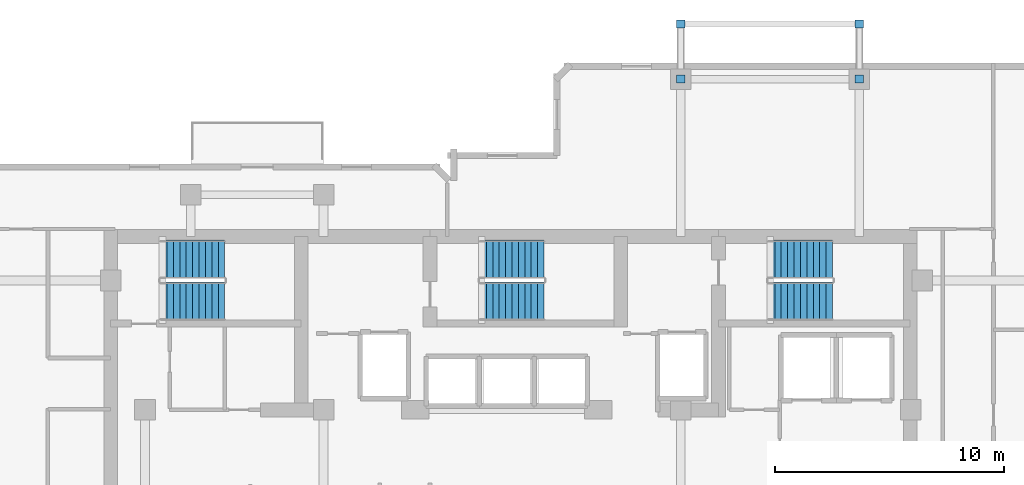
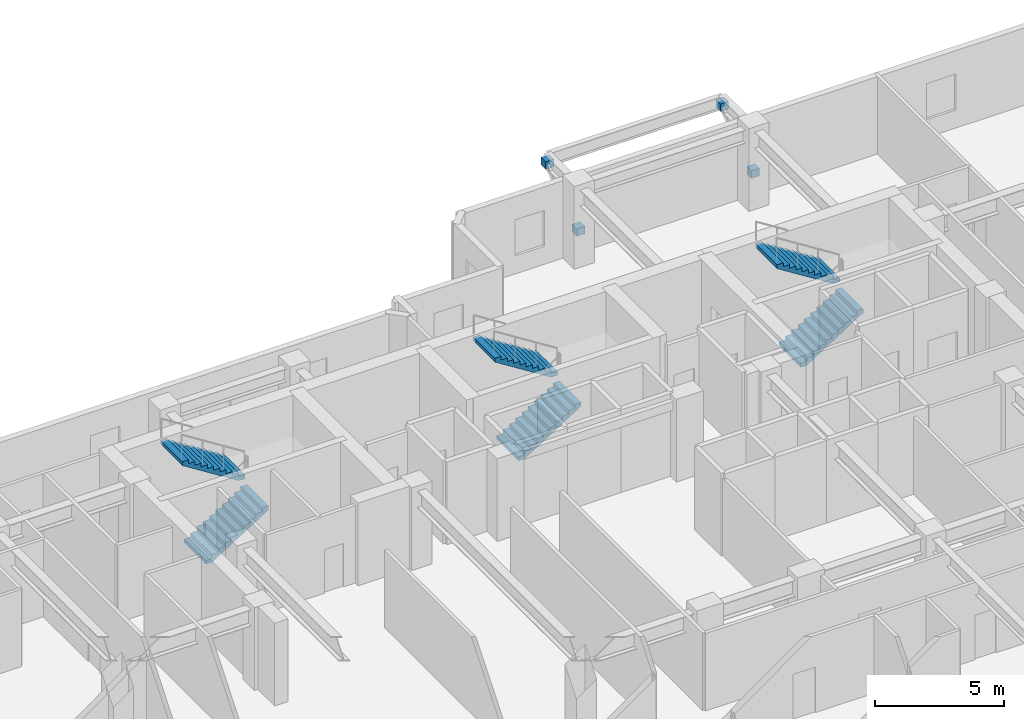
# One storey, part 9 of 10: 6 stair flights, 4 discrete accessories, 3 elements without a shape of their own.
"""IFC4 building model written with IfcOpenShell, lengths in metres."""

import ifcopenshell
import ifcopenshell.guid

model = None  # the IFC model being written
_history = None  # IfcOwnerHistory: only IFC2X3 demands one
_inside = {}  # id of a spatial element -> (the spatial element, [elements in it])
_under = {}  # id of a project, library or spatial element -> (it, [spatial elements below it])
_declared = {}  # id of a project -> (the project, [libraries it declares])
_typed = {}  # id of a type object -> (the type object, [elements of that type])
_made_of = {}  # id of a material, layer set ... -> (it, [elements and type objects made of it])


def new_model(schema):
    """Start an empty IFC model of exactly this schema.

    Asked for "IFC4X3", IfcOpenShell would pick the latest addendum, in which some entities
    have other attributes; the version numbers below select the first issue.
    IFC2X3 requires an IfcOwnerHistory on every rooted entity: one is made here for all.
    """
    global model, _history
    if schema == "IFC4X3":
        model = ifcopenshell.file(schema_version=(4, 3, 0, 0))
    else:
        model = ifcopenshell.file(schema=schema)
    _inside.clear()
    _under.clear()
    _declared.clear()
    _typed.clear()
    _made_of.clear()
    _history = None
    if model.schema == "IFC2X3":
        org = make("IfcOrganization", Name="unknown")
        user = make(
            "IfcPersonAndOrganization",
            ThePerson=make("IfcPerson", FamilyName="unknown"),
            TheOrganization=org,
        )
        app = make(
            "IfcApplication",
            ApplicationDeveloper=org,
            Version="unknown",
            ApplicationFullName="unknown",
            ApplicationIdentifier="unknown",
        )
        _history = make(
            "IfcOwnerHistory",
            OwningUser=user,
            OwningApplication=app,
            ChangeAction="ADDED",
            CreationDate=0,
        )
    return model


def make(cls, **values):
    """One entity of the class cls with the attributes given. An attribute that is None is left unset."""
    return model.create_entity(
        cls, **{name: value for name, value in values.items() if value is not None}
    )


def rooted(cls, **values):
    """An entity with a GlobalId (a new one), such as an element, a storey or a relation."""
    return make(cls, GlobalId=ifcopenshell.guid.new(), OwnerHistory=_history, **values)


def si_unit(unit_type, name, prefix=None):
    """IfcSIUnit, for example si_unit("LENGTHUNIT", "METRE", prefix="MILLI")."""
    return make("IfcSIUnit", UnitType=unit_type, Prefix=prefix, Name=name)


def assignment(units):
    """IfcUnitAssignment: the units of a project."""
    return None if units is None else make("IfcUnitAssignment", Units=units)


def point(xyz):
    """IfcCartesianPoint."""
    return None if xyz is None else make("IfcCartesianPoint", Coordinates=xyz)


def direction(xyz):
    """IfcDirection."""
    return None if xyz is None else make("IfcDirection", DirectionRatios=xyz)


def frame(location, z_axis=None, x_axis=None):
    """IfcAxis2Placement3D, a coordinate frame: its origin and axes. An axis left out is left unset."""
    return make(
        "IfcAxis2Placement3D",
        Location=point(location),
        Axis=direction(z_axis),
        RefDirection=direction(x_axis),
    )


def frame_2d(location, x_axis=None):
    """IfcAxis2Placement2D, a coordinate frame in the plane: its origin and x axis."""
    return make(
        "IfcAxis2Placement2D", Location=point(location), RefDirection=direction(x_axis)
    )


def origin():
    """The frame at (0, 0, 0) with its axes left unset."""
    return frame((0.0, 0.0, 0.0))


def origin_2d():
    """The frame at (0, 0) in the plane with its x axis left unset."""
    return frame_2d((0.0, 0.0))


def place(relative_to, where):
    """IfcLocalPlacement: puts the frame where relative to a parent placement (None: the world)."""
    return make(
        "IfcLocalPlacement", PlacementRelTo=relative_to, RelativePlacement=where
    )


def context(
    kind, dimensions, precision=None, world=None, true_north=None, identifier=None
):
    """IfcGeometricRepresentationContext, for example the 3D "Model" context."""
    return make(
        "IfcGeometricRepresentationContext",
        ContextIdentifier=identifier,
        ContextType=kind,
        CoordinateSpaceDimension=dimensions,
        Precision=precision,
        WorldCoordinateSystem=world,
        TrueNorth=true_north,
    )


def subcontext(parent, identifier, kind, view, scale=None):
    """IfcGeometricRepresentationSubContext, for example "Body" below "Model"."""
    return make(
        "IfcGeometricRepresentationSubContext",
        ContextIdentifier=identifier,
        ContextType=kind,
        ParentContext=parent,
        TargetScale=scale,
        TargetView=view,
    )


def project(units=None, contexts=None):
    """IfcProject with its units and contexts."""
    return rooted(
        "IfcProject",
        Name="project",
        RepresentationContexts=contexts,
        UnitsInContext=assignment(units),
    )


def spatial(cls, under=None, at=None, **own):
    """A site, building, storey or space (cls), placed at a placement, below another one or the project."""
    s = rooted(cls, ObjectPlacement=at, **own)
    if under is not None:
        _under.setdefault(under.id(), (under, []))[1].append(s)
    return s


def polyline(points):
    """IfcPolyline through the points."""
    return make("IfcPolyline", Points=[point(p) for p in points])


def profile(cls, at=None, kind="AREA", **sizes):
    """A parametric profile (cls). Its sizes go by their IFC names, for example OverallWidth=200.0."""
    return make(cls, ProfileType=kind, Position=at, **sizes)


def rectangle(**sizes):
    """IfcRectangleProfileDef."""
    return profile("IfcRectangleProfileDef", **sizes)


def outline(outer, holes=None, kind="AREA"):
    """IfcArbitraryClosedProfileDef: a profile drawn as a closed curve; with holes, ...WithVoids."""
    if holes is None:
        return make("IfcArbitraryClosedProfileDef", ProfileType=kind, OuterCurve=outer)
    return make(
        "IfcArbitraryProfileDefWithVoids",
        ProfileType=kind,
        OuterCurve=outer,
        InnerCurves=holes,
    )


def extrude(swept, where, along, depth):
    """IfcExtrudedAreaSolid: the profile swept, set in the frame where, extruded along a direction by depth."""
    return make(
        "IfcExtrudedAreaSolid",
        SweptArea=swept,
        Position=where,
        ExtrudedDirection=direction(along),
        Depth=depth,
    )


def shape(context_of_items, identifier, shape_type, items):
    """IfcShapeRepresentation: the items that make up one representation, for example the "Body"."""
    return make(
        "IfcShapeRepresentation",
        ContextOfItems=context_of_items,
        RepresentationIdentifier=identifier,
        RepresentationType=shape_type,
        Items=items,
    )


def material(Name=None, Category=None):
    """IfcMaterial."""
    return make("IfcMaterial", Name=Name, Category=Category)


def made_of(thing, what):
    """Note that an element or type object is made of a material, layer set ...; save() writes the relation."""
    if what is not None:
        _made_of.setdefault(what.id(), (what, []))[1].append(thing)
    return thing


def type_object(cls, material=None, **own):
    """A type object (cls), such as IfcWallType, which elements share."""
    return made_of(rooted(cls, **own), material)


def element(
    cls,
    number,
    at=None,
    inside=None,
    cuts=None,
    type_object=None,
    material=None,
    context=None,
    identifier="Body",
    shape_type=None,
    held_by="IfcProductDefinitionShape",
    body=None,
    shapes=None,
    **own,
):
    """One element of the class cls, such as IfcWall. Its Tag is "e" and its number.

    at: its placement. inside: the storey or other place that contains it. cuts: it is an
    opening in that element (IfcRelVoidsElement). A single representation is given by context,
    identifier, shape_type and body (its items); several are given by shapes. held_by: the class
    of the entity that holds the representations. save() writes the other relations.
    """
    e = rooted(cls, Tag="e%d" % number, ObjectPlacement=at, **own)
    if body is not None:
        shapes = [shape(context, identifier, shape_type, body)]
    if shapes is not None:
        e.Representation = make(held_by, Representations=shapes)
    if inside is not None:
        _inside.setdefault(inside.id(), (inside, []))[1].append(e)
    if cuts is not None:
        rooted(
            "IfcRelVoidsElement", RelatingBuildingElement=cuts, RelatedOpeningElement=e
        )
    if type_object is not None:
        _typed.setdefault(type_object.id(), (type_object, []))[1].append(e)
    return made_of(e, material)


def aggregate(whole, parts):
    """IfcRelAggregates: a whole, such as a stair, and the parts it consists of."""
    return rooted("IfcRelAggregates", RelatingObject=whole, RelatedObjects=parts)


def save(model, path):
    """Write the relations noted so far, then the file.

    IfcRelAggregates (storeys below a building ...), IfcRelContainedInSpatialStructure (elements
    in a storey), IfcRelDefinesByType, IfcRelAssociatesMaterial and IfcRelDeclares: one each for
    every whole, place, type object, material and project.
    """
    for whole, parts in _under.values():
        aggregate(whole, parts)
    for where, things in _inside.values():
        rooted(
            "IfcRelContainedInSpatialStructure",
            RelatedElements=things,
            RelatingStructure=where,
        )
    for kind, things in _typed.values():
        rooted("IfcRelDefinesByType", RelatedObjects=things, RelatingType=kind)
    for what, things in _made_of.values():
        rooted("IfcRelAssociatesMaterial", RelatedObjects=things, RelatingMaterial=what)
    for by, libraries in _declared.values():
        rooted("IfcRelDeclares", RelatingContext=by, RelatedDefinitions=libraries)
    model.write(path)


model = new_model("IFC4")

# Units and contexts
model_context = context("Model", 3, precision=1e-05, world=origin(), true_north=direction((0.0, 1.0)))
body_context = subcontext(model_context, "Body", "Model", "MODEL_VIEW")
ifc_project = project(units=[si_unit("LENGTHUNIT", "METRE"), si_unit("AREAUNIT", "SQUARE_METRE"), si_unit("VOLUMEUNIT", "CUBIC_METRE"), si_unit("PLANEANGLEUNIT", "RADIAN"), si_unit("MASSUNIT", "GRAM", prefix="KILO")], contexts=[model_context])

# Site, building, storey
site_placement = place(None, origin())
site = spatial("IfcSite", under=ifc_project, at=site_placement, CompositionType="ELEMENT")
building_placement = place(site_placement, origin())
building = spatial("IfcBuilding", under=site, at=building_placement, Name="Kestravale Grand Hotel", CompositionType="ELEMENT")
storey_placement = place(building_placement, frame((0.0, 0.0, 216.300048828125)))
storey = spatial("IfcBuildingStorey", under=building, at=storey_placement, Name="L54", CompositionType="ELEMENT", Elevation=216.300048828125)

# Stair, stair flights
ifc_material_1 = material(Name="Concrete f'c 45 MPa", Category="concrete")
stair_type = type_object("IfcStairType", Name="ST-CORE-390", PredefinedType="HALF_TURN_STAIR", material=ifc_material_1)
stair_1_placement = place(storey_placement, origin())
stair_1 = element("IfcStair", 1, at=stair_1_placement, inside=storey, type_object=stair_type, Name="L54 ST-1", PredefinedType="HALF_TURN_STAIR")
ifc_material_2 = material(Name="Concrete f'c 45 MPa", Category="concrete")
stair_flight_type = type_object("IfcStairFlightType", Name="STF-CORE-390", PredefinedType="STRAIGHT", material=ifc_material_2)
stair_flight_1_placement = place(storey_placement, frame((24.080078125, 37.489990234375, 0.0), z_axis=(0.0, 0.0, 1.0), x_axis=(1.0, 0.0, 0.0)))
stair_flight_1 = element("IfcStairFlight", 2, at=stair_flight_1_placement, type_object=stair_flight_type, Name="ST-1 flight 1", NumberOfRisers=11, NumberOfTreads=10, PredefinedType="STRAIGHT", RiserHeight=0.177272727, TreadLength=0.28, context=body_context, shape_type="SweptSolid", body=[
    extrude(outline(polyline([(0.0, 0.0), (0.0, 0.17724609375), (0.280029296875, 0.17724609375), (0.280029296875, 0.3544921875), (0.56005859375, 0.3544921875), (0.56005859375, 0.53173828125), (0.840087890625, 0.53173828125), (0.840087890625, 0.708984375), (1.1201171875, 0.708984375), (1.1201171875, 0.886474609375), (1.39990234375, 0.886474609375), (1.39990234375, 1.063720703125), (1.679931640625, 1.063720703125), (1.679931640625, 1.240966796875), (1.9599609375, 1.240966796875), (1.9599609375, 1.418212890625), (2.239990234375, 1.418212890625), (2.239990234375, 1.595458984375), (2.52001953125, 1.595458984375), (2.52001953125, 1.772705078125), (2.800048828125, 1.772705078125), (2.800048828125, 1.949951171875), (2.800048828125, 1.59521484375), (0.2802734375, 0.0), (0.0, 0.0)])), frame((0.0, 0.83984375, 0.0), z_axis=(0.0, -1.0, 0.0), x_axis=(1.0, 0.0, 0.0)), (0.0, 0.0, 1.0), 1.679931640625),
])
stair_flight_2_placement = place(storey_placement, frame((26.8798828125, 39.320068359375, 1.949951171875), z_axis=(0.0, 0.0, 1.0), x_axis=(-1.0, 0.0, 0.0)))
stair_flight_2 = element("IfcStairFlight", 3, at=stair_flight_2_placement, type_object=stair_flight_type, Name="ST-1 flight 2", NumberOfRisers=11, NumberOfTreads=10, PredefinedType="STRAIGHT", RiserHeight=0.177272727, TreadLength=0.28, context=body_context, shape_type="SweptSolid", body=[
    extrude(outline(polyline([(0.0, 0.0), (0.0, 0.17724609375), (0.280029296875, 0.17724609375), (0.280029296875, 0.3544921875), (0.56005859375, 0.3544921875), (0.56005859375, 0.53173828125), (0.840087890625, 0.53173828125), (0.840087890625, 0.708984375), (1.1201171875, 0.708984375), (1.1201171875, 0.886474609375), (1.39990234375, 0.886474609375), (1.39990234375, 1.063720703125), (1.679931640625, 1.063720703125), (1.679931640625, 1.240966796875), (1.9599609375, 1.240966796875), (1.9599609375, 1.418212890625), (2.239990234375, 1.418212890625), (2.239990234375, 1.595458984375), (2.52001953125, 1.595458984375), (2.52001953125, 1.772705078125), (2.800048828125, 1.772705078125), (2.800048828125, 1.949951171875), (2.800048828125, 1.59521484375), (0.2802734375, 0.0), (0.0, 0.0)])), frame((0.0, 0.83984375, 0.0), z_axis=(0.0, -1.0, 0.0), x_axis=(1.0, 0.0, 0.0)), (0.0, 0.0, 1.0), 1.679931640625),
])
aggregate(stair_1, [stair_flight_1, stair_flight_2])

stair_2_placement = place(storey_placement, origin())
stair_2 = element("IfcStair", 4, at=stair_2_placement, inside=storey, type_object=stair_type, Name="L54 ST-2", PredefinedType="HALF_TURN_STAIR")
stair_flight_3_placement = place(storey_placement, frame((38.030029296875, 37.489990234375, 0.0), z_axis=(0.0, 0.0, 1.0), x_axis=(1.0, 0.0, 0.0)))
stair_flight_3 = element("IfcStairFlight", 5, at=stair_flight_3_placement, type_object=stair_flight_type, Name="ST-2 flight 1", NumberOfRisers=11, NumberOfTreads=10, PredefinedType="STRAIGHT", RiserHeight=0.177272727, TreadLength=0.28, context=body_context, shape_type="SweptSolid", body=[
    extrude(outline(polyline([(0.0, 0.0), (0.0, 0.17724609375), (0.280029296875, 0.17724609375), (0.280029296875, 0.3544921875), (0.56005859375, 0.3544921875), (0.56005859375, 0.53173828125), (0.840087890625, 0.53173828125), (0.840087890625, 0.708984375), (1.1201171875, 0.708984375), (1.1201171875, 0.886474609375), (1.39990234375, 0.886474609375), (1.39990234375, 1.063720703125), (1.679931640625, 1.063720703125), (1.679931640625, 1.240966796875), (1.9599609375, 1.240966796875), (1.9599609375, 1.418212890625), (2.239990234375, 1.418212890625), (2.239990234375, 1.595458984375), (2.52001953125, 1.595458984375), (2.52001953125, 1.772705078125), (2.800048828125, 1.772705078125), (2.800048828125, 1.949951171875), (2.800048828125, 1.59521484375), (0.2802734375, 0.0), (0.0, 0.0)])), frame((0.0, 0.83984375, 0.0), z_axis=(0.0, -1.0, 0.0), x_axis=(1.0, 0.0, 0.0)), (0.0, 0.0, 1.0), 1.679931640625),
])
stair_flight_4_placement = place(storey_placement, frame((40.830078125, 39.320068359375, 1.949951171875), z_axis=(0.0, 0.0, 1.0), x_axis=(-1.0, 0.0, 0.0)))
stair_flight_4 = element("IfcStairFlight", 6, at=stair_flight_4_placement, type_object=stair_flight_type, Name="ST-2 flight 2", NumberOfRisers=11, NumberOfTreads=10, PredefinedType="STRAIGHT", RiserHeight=0.177272727, TreadLength=0.28, context=body_context, shape_type="SweptSolid", body=[
    extrude(outline(polyline([(0.0, 0.0), (0.0, 0.17724609375), (0.280029296875, 0.17724609375), (0.280029296875, 0.3544921875), (0.56005859375, 0.3544921875), (0.56005859375, 0.53173828125), (0.840087890625, 0.53173828125), (0.840087890625, 0.708984375), (1.1201171875, 0.708984375), (1.1201171875, 0.886474609375), (1.39990234375, 0.886474609375), (1.39990234375, 1.063720703125), (1.679931640625, 1.063720703125), (1.679931640625, 1.240966796875), (1.9599609375, 1.240966796875), (1.9599609375, 1.418212890625), (2.239990234375, 1.418212890625), (2.239990234375, 1.595458984375), (2.52001953125, 1.595458984375), (2.52001953125, 1.772705078125), (2.800048828125, 1.772705078125), (2.800048828125, 1.949951171875), (2.800048828125, 1.59521484375), (0.2802734375, 0.0), (0.0, 0.0)])), frame((0.0, 0.83984375, 0.0), z_axis=(0.0, -1.0, 0.0), x_axis=(1.0, 0.0, 0.0)), (0.0, 0.0, 1.0), 1.679931640625),
])
aggregate(stair_2, [stair_flight_3, stair_flight_4])

stair_3_placement = place(storey_placement, origin())
stair_3 = element("IfcStair", 7, at=stair_3_placement, inside=storey, type_object=stair_type, Name="L54 ST-3", PredefinedType="HALF_TURN_STAIR")
stair_flight_5_placement = place(storey_placement, frame((50.6298828125, 37.489990234375, 0.0), z_axis=(0.0, 0.0, 1.0), x_axis=(1.0, 0.0, 0.0)))
stair_flight_5 = element("IfcStairFlight", 8, at=stair_flight_5_placement, type_object=stair_flight_type, Name="ST-3 flight 1", NumberOfRisers=11, NumberOfTreads=10, PredefinedType="STRAIGHT", RiserHeight=0.177272727, TreadLength=0.28, context=body_context, shape_type="SweptSolid", body=[
    extrude(outline(polyline([(0.0, 0.0), (0.0, 0.17724609375), (0.280029296875, 0.17724609375), (0.280029296875, 0.3544921875), (0.56005859375, 0.3544921875), (0.56005859375, 0.53173828125), (0.840087890625, 0.53173828125), (0.840087890625, 0.708984375), (1.1201171875, 0.708984375), (1.1201171875, 0.886474609375), (1.39990234375, 0.886474609375), (1.39990234375, 1.063720703125), (1.679931640625, 1.063720703125), (1.679931640625, 1.240966796875), (1.9599609375, 1.240966796875), (1.9599609375, 1.418212890625), (2.239990234375, 1.418212890625), (2.239990234375, 1.595458984375), (2.52001953125, 1.595458984375), (2.52001953125, 1.772705078125), (2.800048828125, 1.772705078125), (2.800048828125, 1.949951171875), (2.800048828125, 1.59521484375), (0.2802734375, 0.0), (0.0, 0.0)])), frame((0.0, 0.83984375, 0.0), z_axis=(0.0, -1.0, 0.0), x_axis=(1.0, 0.0, 0.0)), (0.0, 0.0, 1.0), 1.679931640625),
])
stair_flight_6_placement = place(storey_placement, frame((53.429931640625, 39.320068359375, 1.949951171875), z_axis=(0.0, 0.0, 1.0), x_axis=(-1.0, 0.0, 0.0)))
stair_flight_6 = element("IfcStairFlight", 9, at=stair_flight_6_placement, type_object=stair_flight_type, Name="ST-3 flight 2", NumberOfRisers=11, NumberOfTreads=10, PredefinedType="STRAIGHT", RiserHeight=0.177272727, TreadLength=0.28, context=body_context, shape_type="SweptSolid", body=[
    extrude(outline(polyline([(0.0, 0.0), (0.0, 0.17724609375), (0.280029296875, 0.17724609375), (0.280029296875, 0.3544921875), (0.56005859375, 0.3544921875), (0.56005859375, 0.53173828125), (0.840087890625, 0.53173828125), (0.840087890625, 0.708984375), (1.1201171875, 0.708984375), (1.1201171875, 0.886474609375), (1.39990234375, 0.886474609375), (1.39990234375, 1.063720703125), (1.679931640625, 1.063720703125), (1.679931640625, 1.240966796875), (1.9599609375, 1.240966796875), (1.9599609375, 1.418212890625), (2.239990234375, 1.418212890625), (2.239990234375, 1.595458984375), (2.52001953125, 1.595458984375), (2.52001953125, 1.772705078125), (2.800048828125, 1.772705078125), (2.800048828125, 1.949951171875), (2.800048828125, 1.59521484375), (0.2802734375, 0.0), (0.0, 0.0)])), frame((0.0, 0.83984375, 0.0), z_axis=(0.0, -1.0, 0.0), x_axis=(1.0, 0.0, 0.0)), (0.0, 0.0, 1.0), 1.679931640625),
])
aggregate(stair_3, [stair_flight_5, stair_flight_6])

# Discrete accessories
ifc_material_3 = material(Name="Steel ASTM A572 Grade 50 hot-dip galvanised bracket", Category="steel")
discrete_accessory_type = type_object("IfcDiscreteAccessoryType", Name="ACC-BRK-STL", PredefinedType="BRACKET", material=ifc_material_3)
for number, where, z_axis, x_axis, name in (
    (10, (46.800048828125, 47.199951171875, 1.2939453125), (0.0, 0.0, 1.0), (1.0, 0.0, 0.0), "L55 terrace strut column bracket 1"),
    (11, (46.800048828125, 49.60009765625, 2.994140625), (0.0, 0.0, 1.0), (1.0, 0.0, 0.0), "L55 terrace strut beam bracket 1"),
    (12, (54.60009765625, 47.199951171875, 1.2939453125), (0.0, 0.0, 1.0), (1.0, 0.0, 0.0), "L55 terrace strut column bracket 2"),
    (13, (54.60009765625, 49.60009765625, 2.994140625), (0.0, 0.0, 1.0), (1.0, 0.0, 0.0), "L55 terrace strut beam bracket 2"),
):
    element("IfcDiscreteAccessory", number, at=place(storey_placement, frame(where, z_axis=z_axis, x_axis=x_axis)), inside=storey, type_object=discrete_accessory_type, Name=name, PredefinedType="BRACKET", context=body_context, shape_type="SweptSolid", body=[
        extrude(rectangle(XDim=0.360107421875, YDim=0.360107421875, at=origin_2d()), origin(), (0.0, 0.0, 1.0), 0.360107421875),
    ])

save(model, "model.ifc")
